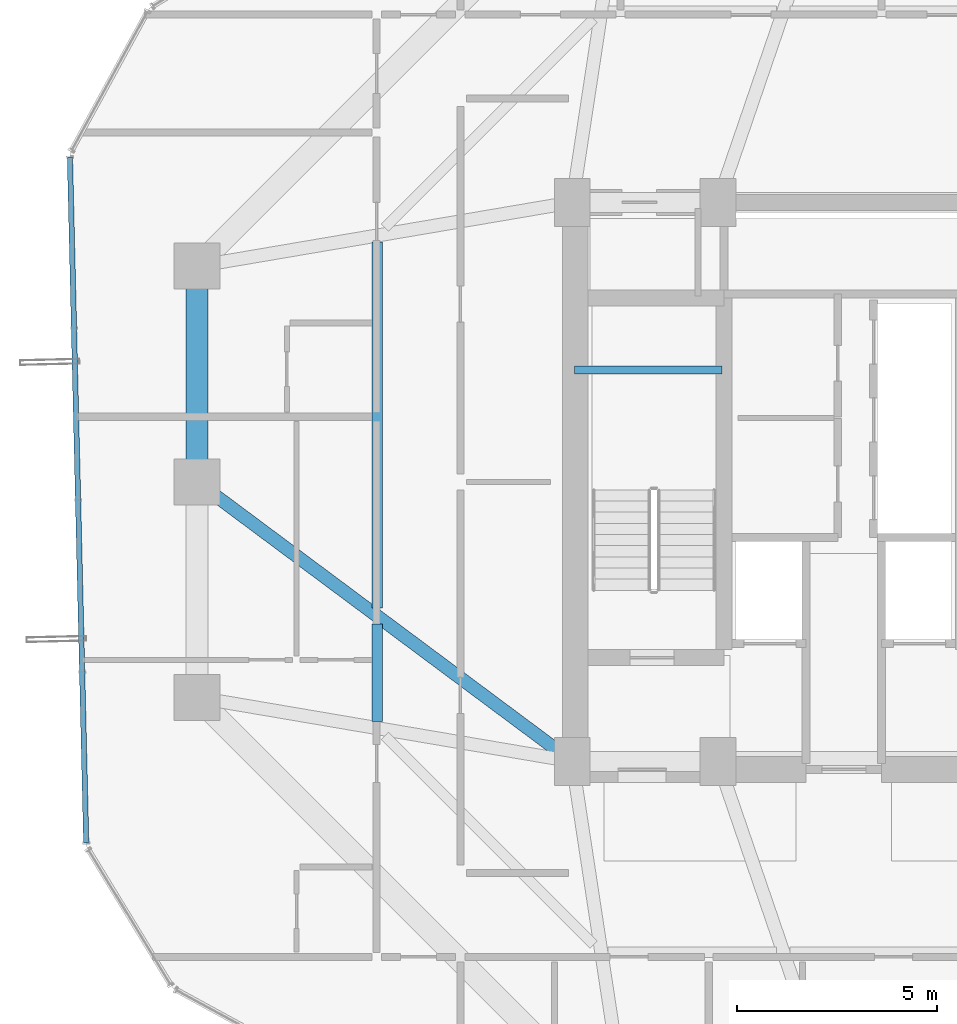
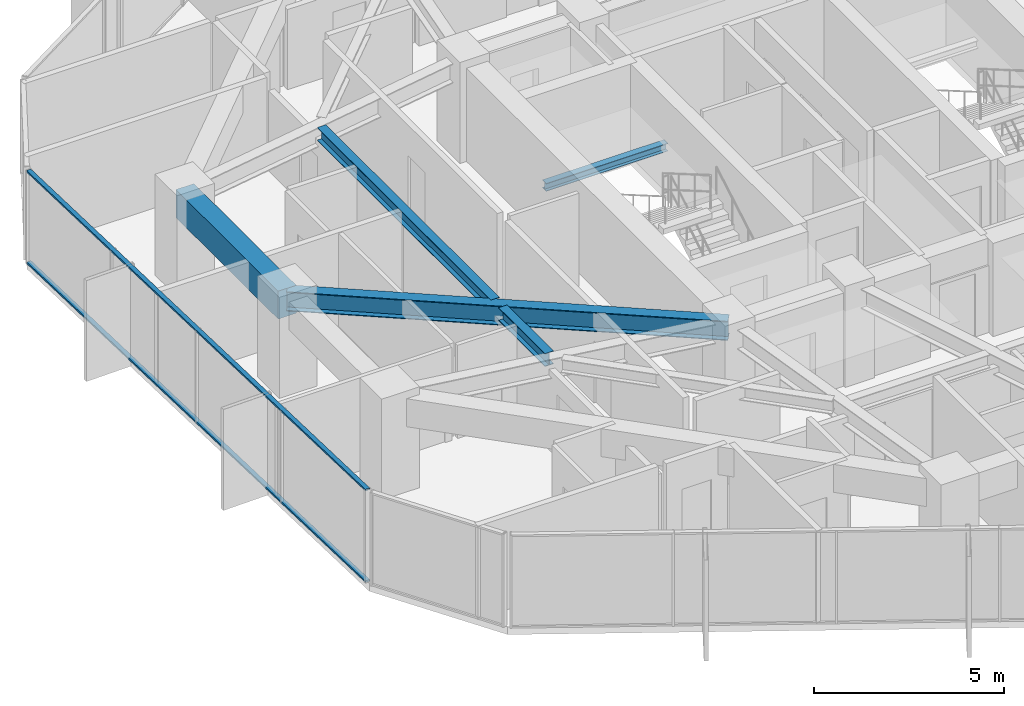
# One storey, part 10 of 31: 5 beams, 2 members, 1 element without a shape of its own.
"""IFC4 building model written with IfcOpenShell, lengths in metres."""

from ifc_helpers import new_model, si_unit, direction, frame, origin, origin_2d, place, context, subcontext, project, spatial, rectangle, hollow_rectangle, i_section, extrude, source, transform, mapped, material, layer, layer_set, material_profile, profile_set, type_object, element, aggregate, save


model = new_model("IFC4")

# Units and contexts
model_context = context("Model", 3, precision=1e-05, world=origin(), true_north=direction((0.0, 1.0)))
body_context = subcontext(model_context, "Body", "Model", "MODEL_VIEW")
ifc_project = project(units=[si_unit("LENGTHUNIT", "METRE"), si_unit("AREAUNIT", "SQUARE_METRE"), si_unit("VOLUMEUNIT", "CUBIC_METRE"), si_unit("PLANEANGLEUNIT", "RADIAN"), si_unit("MASSUNIT", "GRAM", prefix="KILO")], contexts=[model_context])

# Site, building, storey
site_placement = place(None, origin())
site = spatial("IfcSite", under=ifc_project, at=site_placement, CompositionType="ELEMENT")
building_placement = place(site_placement, origin())
building = spatial("IfcBuilding", under=site, at=building_placement, Name="Veraguas Prism Commons", CompositionType="ELEMENT")
storey_placement = place(building_placement, frame((0.0, 0.0, 132.75)))
storey = spatial("IfcBuildingStorey", under=building, at=storey_placement, Name="L37", CompositionType="ELEMENT", Elevation=132.75)

# Beams
ifc_material_1 = material(Name="Steel ASTM A992 Grade 50", Category="steel")
ifc_material_profile_1 = material_profile(ifc_material_1, i_section(OverallWidth=0.260986328125, OverallDepth=0.419921875, WebThickness=0.01171875, FlangeThickness=0.019287109375, at=origin_2d()), Name="W410X114")
ifc_profile_set_1 = profile_set([ifc_material_profile_1], Name="Steel ASTM A992 Grade 50")
beam_type_1 = type_object("IfcBeamType", Name="Lower Floor Joist W410x114", PredefinedType="JOIST", material=ifc_profile_set_1)
beam_1_placement = place(storey_placement, frame((12.31201171875, 30.003662109375, 2.7900390625), z_axis=(0.0, -1.0, 0.0), x_axis=(1.0, 0.0, 0.0)))
element("IfcBeam", 1, at=beam_1_placement, inside=storey, type_object=beam_type_1, Name="Composite Floor Joist L37-JS07", PredefinedType="JOIST", context=body_context, shape_type="SweptSolid", body=[
    extrude(i_section(OverallWidth=0.260986328125, OverallDepth=0.419921875, WebThickness=0.01171875, FlangeThickness=0.019287109375, at=origin_2d()), origin(), (0.0, 0.0, 1.0), 9.16162109375),
])
beam_2_placement = place(storey_placement, frame((12.31201171875, 20.43798828125, 2.7900390625), z_axis=(0.0, -1.0, 0.0), x_axis=(1.0, 0.0, 0.0)))
element("IfcBeam", 2, at=beam_2_placement, inside=storey, type_object=beam_type_1, Name="Composite Floor Joist L37-JS08", PredefinedType="JOIST", context=body_context, shape_type="SweptSolid", body=[
    extrude(i_section(OverallWidth=0.260986328125, OverallDepth=0.419921875, WebThickness=0.01171875, FlangeThickness=0.019287109375, at=origin_2d()), origin(), (0.0, 0.0, 1.0), 2.441650390625),
])
ifc_material_2 = material(Name="Concrete C50/60", Category="concrete")
ifc_material_profile_2 = material_profile(ifc_material_2, rectangle(XDim=0.550048828125, YDim=0.89990234375, at=origin_2d()), Name="RC550X900")
ifc_profile_set_2 = profile_set([ifc_material_profile_2], Name="Concrete C50/60")
beam_type_2 = type_object("IfcBeamType", Name="Perimeter Spandrel Lower RC 550x900", PredefinedType="SPANDREL", material=ifc_profile_set_2)
beam_3_placement = place(storey_placement, frame((7.800048828125, 29.39990234375, 2.550048828125), z_axis=(0.0, -1.0, 0.0), x_axis=(1.0, 0.0, 0.0)))
element("IfcBeam", 3, at=beam_3_placement, inside=storey, type_object=beam_type_2, Name="Perimeter Spandrel Beam L37-SP07", PredefinedType="SPANDREL", context=body_context, shape_type="SweptSolid", body=[
    extrude(rectangle(XDim=0.550048828125, YDim=0.89990234375, at=origin_2d()), origin(), (0.0, 0.0, 1.0), 5.39990234375),
])
ifc_material_profile_3 = material_profile(ifc_material_1, i_section(OverallWidth=0.202880859375, OverallDepth=0.251953125, WebThickness=0.008056640625, FlangeThickness=0.013427734375, at=origin_2d()), Name="W250X58")
ifc_profile_set_3 = profile_set([ifc_material_profile_3], Name="Steel ASTM A992 Grade 50")
beam_type_3 = type_object("IfcBeamType", Name="Structural Opening Lintel W250x58", PredefinedType="LINTEL", material=ifc_profile_set_3)
beam_4_placement = place(storey_placement, frame((17.25, 26.800048828125, 1.299072265625), z_axis=(1.0, 0.0, 0.0), x_axis=(0.0, 1.0, 0.0)))
element("IfcBeam", 4, at=beam_4_placement, inside=storey, type_object=beam_type_3, Name="Stair ST-01 Half-Landing Support Beam L37-1", PredefinedType="LINTEL", context=body_context, shape_type="SweptSolid", body=[
    extrude(i_section(OverallWidth=0.202880859375, OverallDepth=0.251953125, WebThickness=0.008056640625, FlangeThickness=0.013427734375, at=origin_2d()), origin(), (0.0, 0.0, 1.0), 3.699951171875),
])
ifc_material_profile_4 = material_profile(ifc_material_1, i_section(OverallWidth=0.327880859375, OverallDepth=0.6220703125, WebThickness=0.015380859375, FlangeThickness=0.0244140625, at=origin_2d()), Name="W610X195")
ifc_profile_set_4 = profile_set([ifc_material_profile_4], Name="Steel ASTM A992 Grade 50")
beam_type_4 = type_object("IfcBeamType", Name="Zone 2 Radial Girder W610x195", PredefinedType="BEAM", material=ifc_profile_set_4)
beam_5_placement = place(storey_placement, frame((7.800048828125, 24.0, 2.68896484375), z_axis=(0.802040137921, -0.597270137512, 0.0), x_axis=(0.597270137512, 0.802040137921, 0.0)))
element("IfcBeam", 5, at=beam_5_placement, inside=storey, type_object=beam_type_4, Name="Radial Floor Girder L37-RD08", PredefinedType="BEAM", context=body_context, shape_type="SweptSolid", body=[
    extrude(i_section(OverallWidth=0.327880859375, OverallDepth=0.6220703125, WebThickness=0.015380859375, FlangeThickness=0.0244140625, at=origin_2d()), origin(), (0.0, 0.0, 1.0), 11.719970703125),
])

# Curtain wall, members
ifc_material_3 = material(Name="Anodised aluminium EN AW-6063 T6", Category="aluminium")
ifc_layer = layer(ifc_material_3, 0.169921875, Name="Unitised Flush Curtain Wall Zone 2", Category="aluminium")
ifc_layer_set = layer_set([ifc_layer], Name="Anodised aluminium EN AW-6063 T6")
curtain_wall_type = type_object("IfcCurtainWallType", Name="Unitised Flush Curtain Wall Zone 2", PredefinedType="NOTDEFINED", material=ifc_layer_set)
curtain_wall_placement = place(storey_placement, origin())
curtain_wall = element("IfcCurtainWall", 6, at=curtain_wall_placement, inside=storey, type_object=curtain_wall_type, Name="Tower Facade Curtain Wall L37-F3", PredefinedType="NOTDEFINED")
ifc_material_profile_5 = material_profile(ifc_material_3, hollow_rectangle(XDim=0.054931640625, YDim=0.135009765625, WallThickness=0.0029296875, at=origin_2d()), Name="AL55X135X3")
ifc_profile_set_5 = profile_set([ifc_material_profile_5], Name="Anodised aluminium EN AW-6063 T6")
member_type = type_object("IfcMemberType", Name="Curtain Wall Transom Standard AL 55x135x3", PredefinedType="USERDEFINED", material=ifc_profile_set_5)
shared_shape = source(origin(), body_context, "Body", "SweptSolid", [
    extrude(hollow_rectangle(XDim=0.054931640625, YDim=0.135009765625, WallThickness=0.0029296875, at=origin_2d()), origin(), (0.0, 0.0, 1.0), 17.17431640625),
])
member_1_placement = place(storey_placement, frame((4.619140625, 32.12939453125, 0.027587890625), z_axis=(0.023739859278, -0.999718169827, 0.0), x_axis=(0.0, 0.0, 1.0)))
member_1 = element("IfcMember", 7, at=member_1_placement, type_object=member_type, Name="CW-Z2 Transom 1", ObjectType="TRANSOM", PredefinedType="USERDEFINED", context=body_context, shape_type="MappedRepresentation", body=[
    mapped(shared_shape, transform((0.0, 0.0, 0.0), scale=1.0)),
])
member_2_placement = place(storey_placement, frame((4.619140625, 32.12939453125, 2.972412109375), z_axis=(0.023739859278, -0.999718169827, 0.0), x_axis=(0.0, 0.0, 1.0)))
member_2 = element("IfcMember", 8, at=member_2_placement, type_object=member_type, Name="CW-Z2 Transom 2", ObjectType="TRANSOM", PredefinedType="USERDEFINED", context=body_context, shape_type="MappedRepresentation", body=[
    mapped(shared_shape, transform((0.0, 0.0, 0.0), scale=1.0)),
])
aggregate(curtain_wall, [member_1, member_2])

save(model, "model.ifc")
